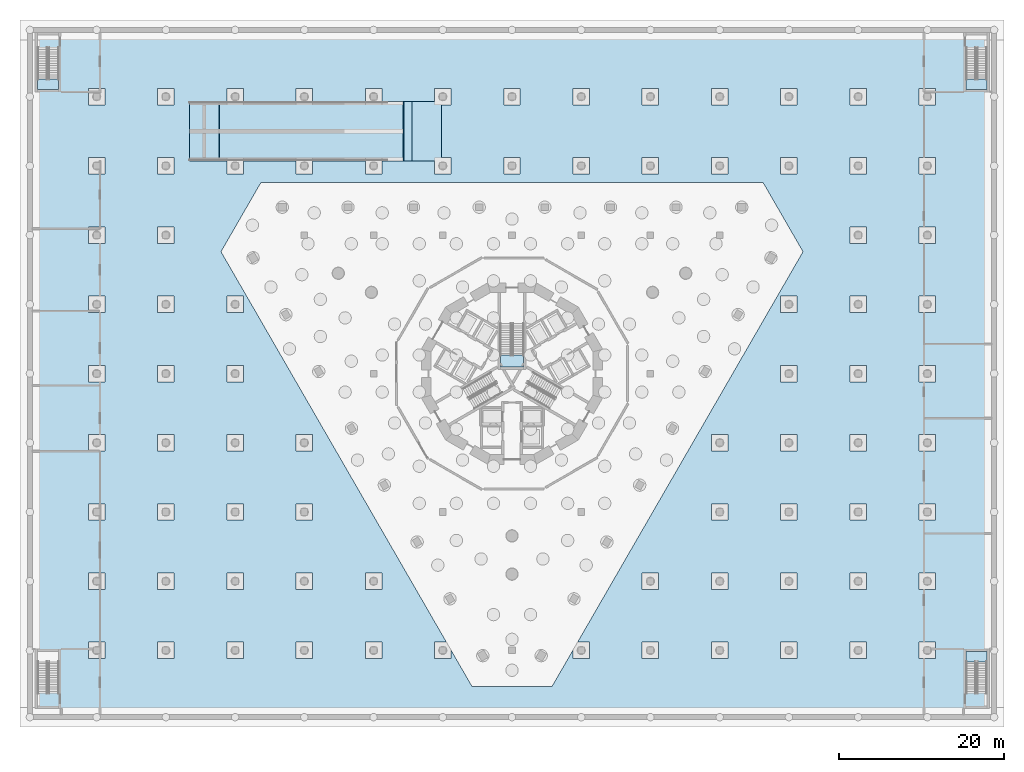
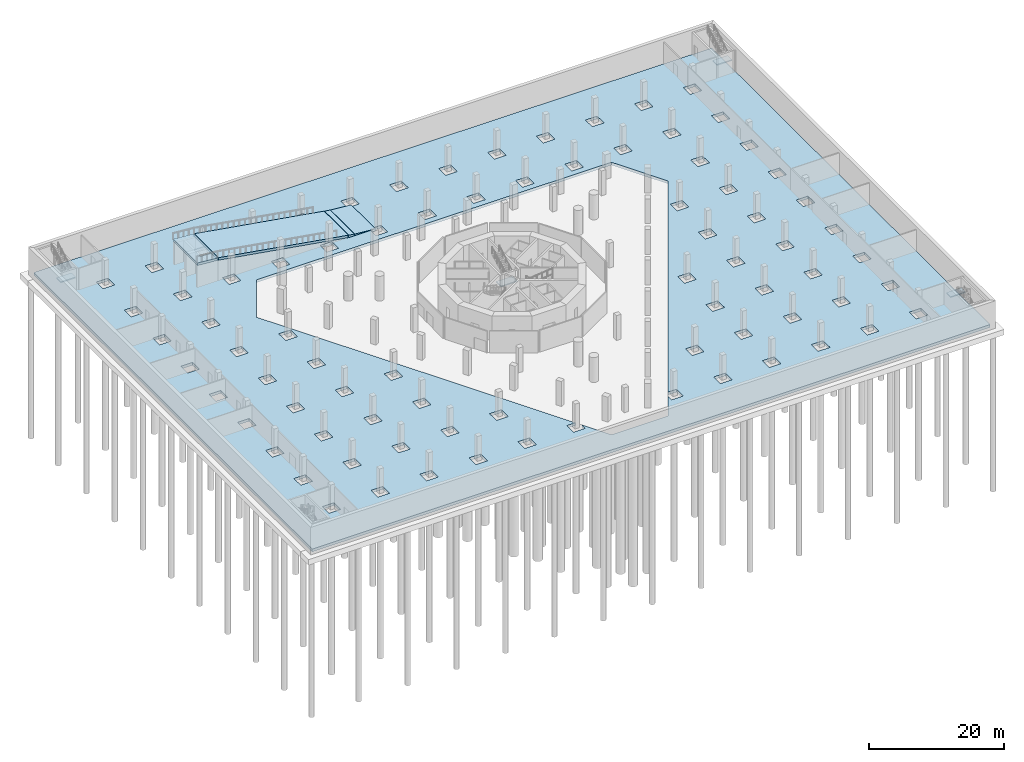
# One storey, part 4 of 23: 9 slabs, 4 elements without a shape of their own.
"""IFC4 building model written with IfcOpenShell, lengths in metres."""

from ifc_helpers import new_model, si_unit, direction, frame, origin, place, context, subcontext, project, spatial, polyline, outline, extrude, material, layer, layer_set, type_object, element, aggregate, save


model = new_model("IFC4")

# Units and contexts
model_context = context("Model", 3, precision=1e-05, world=origin(), true_north=direction((0.0, 1.0)))
body_context = subcontext(model_context, "Body", "Model", "MODEL_VIEW")
ifc_project = project(units=[si_unit("LENGTHUNIT", "METRE"), si_unit("AREAUNIT", "SQUARE_METRE"), si_unit("VOLUMEUNIT", "CUBIC_METRE"), si_unit("PLANEANGLEUNIT", "RADIAN"), si_unit("MASSUNIT", "GRAM", prefix="KILO")], contexts=[model_context])

# Site, building, storey
site_placement = place(None, origin())
site = spatial("IfcSite", under=ifc_project, at=site_placement, CompositionType="ELEMENT")
building_placement = place(site_placement, origin())
building = spatial("IfcBuilding", under=site, at=building_placement, Name="Trine Commons Tower", CompositionType="ELEMENT")
storey_placement = place(building_placement, frame((0.0, 0.0, -9.0)))
storey = spatial("IfcBuildingStorey", under=building, at=storey_placement, Name="B2", CompositionType="ELEMENT", Elevation=-9.0)

# Slabs
ifc_material_1 = material(Name="Concrete C40/50", Category="concrete")
ifc_layer_1 = layer(ifc_material_1, 0.5)
ifc_layer_set_1 = layer_set([ifc_layer_1], Name="Concrete C40/50")
slab_type_1 = type_object("IfcSlabType", Name="Basement floor slab 500 mm, C40/50", PredefinedType="BASESLAB", material=ifc_layer_set_1)
slab_1_placement = place(storey_placement, frame((0.0, 0.0, -0.5)))
element("IfcSlab", 1, at=slab_1_placement, inside=storey, type_object=slab_type_1, Name="Basement floor slab", PredefinedType="BASESLAB", context=body_context, shape_type="SweptSolid", body=[
    extrude(outline(polyline([(21.800048828125, 21.10009765625), (21.800048828125, 103.89990234375), (138.199951171875, 103.89990234375), (138.199951171875, 21.10009765625), (21.800048828125, 21.10009765625)]), holes=[polyline([(47.39990234375, 27.89990234375), (47.39990234375, 29.89990234375), (45.39990234375, 29.89990234375), (45.39990234375, 27.89990234375), (47.39990234375, 27.89990234375)]), polyline([(30.60009765625, 27.89990234375), (30.60009765625, 29.89990234375), (28.60009765625, 29.89990234375), (28.60009765625, 27.89990234375), (30.60009765625, 27.89990234375)]), polyline([(39.0, 27.89990234375), (39.0, 29.89990234375), (37.0, 29.89990234375), (37.0, 27.89990234375), (39.0, 27.89990234375)]), polyline([(45.39990234375, 36.300048828125), (47.39990234375, 36.300048828125), (47.39990234375, 38.300048828125), (45.39990234375, 38.300048828125), (45.39990234375, 36.300048828125)]), polyline([(28.60009765625, 36.300048828125), (30.60009765625, 36.300048828125), (30.60009765625, 38.300048828125), (28.60009765625, 38.300048828125), (28.60009765625, 36.300048828125)]), polyline([(39.0, 36.300048828125), (39.0, 38.300048828125), (37.0, 38.300048828125), (37.0, 36.300048828125), (39.0, 36.300048828125)]), polyline([(30.60009765625, 44.699951171875), (30.60009765625, 46.699951171875), (28.60009765625, 46.699951171875), (28.60009765625, 44.699951171875), (30.60009765625, 44.699951171875)]), polyline([(45.39990234375, 46.699951171875), (45.39990234375, 44.699951171875), (47.39990234375, 44.699951171875), (47.39990234375, 46.699951171875), (45.39990234375, 46.699951171875)]), polyline([(37.0, 46.699951171875), (37.0, 44.699951171875), (39.0, 44.699951171875), (39.0, 46.699951171875), (37.0, 46.699951171875)]), polyline([(39.0, 53.10009765625), (39.0, 55.10009765625), (37.0, 55.10009765625), (37.0, 53.10009765625), (39.0, 53.10009765625)]), polyline([(47.39990234375, 53.10009765625), (47.39990234375, 55.10009765625), (45.39990234375, 55.10009765625), (45.39990234375, 53.10009765625), (47.39990234375, 53.10009765625)]), polyline([(30.60009765625, 53.10009765625), (30.60009765625, 55.10009765625), (28.60009765625, 55.10009765625), (28.60009765625, 53.10009765625), (30.60009765625, 53.10009765625)]), polyline([(37.0, 63.5), (37.0, 61.5), (39.0, 61.5), (39.0, 63.5), (37.0, 63.5)]), polyline([(45.39990234375, 63.5), (45.39990234375, 61.5), (47.39990234375, 61.5), (47.39990234375, 63.5), (45.39990234375, 63.5)]), polyline([(30.60009765625, 61.5), (30.60009765625, 63.5), (28.60009765625, 63.5), (28.60009765625, 61.5), (30.60009765625, 61.5)]), polyline([(39.0, 69.89990234375), (39.0, 71.89990234375), (37.0, 71.89990234375), (37.0, 69.89990234375), (39.0, 69.89990234375)]), polyline([(28.60009765625, 69.89990234375), (30.60009765625, 69.89990234375), (30.60009765625, 71.89990234375), (28.60009765625, 71.89990234375), (28.60009765625, 69.89990234375)]), polyline([(45.39990234375, 69.89990234375), (47.39990234375, 69.89990234375), (47.39990234375, 71.89990234375), (45.39990234375, 71.89990234375), (45.39990234375, 69.89990234375)]), polyline([(37.0, 80.300048828125), (37.0, 78.300048828125), (39.0, 78.300048828125), (39.0, 80.300048828125), (37.0, 80.300048828125)]), polyline([(30.60009765625, 78.300048828125), (30.60009765625, 80.300048828125), (28.60009765625, 80.300048828125), (28.60009765625, 78.300048828125), (30.60009765625, 78.300048828125)]), polyline([(39.0, 86.699951171875), (39.0, 88.699951171875), (37.0, 88.699951171875), (37.0, 86.699951171875), (39.0, 86.699951171875)]), polyline([(28.60009765625, 86.699951171875), (30.60009765625, 86.699951171875), (30.60009765625, 88.699951171875), (28.60009765625, 88.699951171875), (28.60009765625, 86.699951171875)]), polyline([(45.39990234375, 86.699951171875), (47.39990234375, 86.699951171875), (47.39990234375, 88.699951171875), (45.39990234375, 88.699951171875), (45.39990234375, 86.699951171875)]), polyline([(28.60009765625, 95.10009765625), (30.60009765625, 95.10009765625), (30.60009765625, 97.10009765625), (28.60009765625, 97.10009765625), (28.60009765625, 95.10009765625)]), polyline([(39.0, 95.10009765625), (39.0, 97.10009765625), (37.0, 97.10009765625), (37.0, 95.10009765625), (39.0, 95.10009765625)]), polyline([(47.39990234375, 95.10009765625), (47.39990234375, 97.10009765625), (45.39990234375, 97.10009765625), (45.39990234375, 95.10009765625), (47.39990234375, 95.10009765625)]), polyline([(64.199951171875, 27.89990234375), (64.199951171875, 29.89990234375), (62.199951171875, 29.89990234375), (62.199951171875, 27.89990234375), (64.199951171875, 27.89990234375)]), polyline([(104.199951171875, 27.89990234375), (106.199951171875, 27.89990234375), (106.199951171875, 29.89990234375), (104.199951171875, 29.89990234375), (104.199951171875, 27.89990234375)]), polyline([(95.800048828125, 29.89990234375), (95.800048828125, 27.89990234375), (97.800048828125, 27.89990234375), (97.800048828125, 29.89990234375), (95.800048828125, 29.89990234375)]), polyline([(53.800048828125, 27.89990234375), (55.800048828125, 27.89990234375), (55.800048828125, 29.89990234375), (53.800048828125, 29.89990234375), (53.800048828125, 27.89990234375)]), polyline([(53.800048828125, 36.300048828125), (55.800048828125, 36.300048828125), (55.800048828125, 38.300048828125), (53.800048828125, 38.300048828125), (53.800048828125, 36.300048828125)]), polyline([(62.199951171875, 36.300048828125), (64.199951171875, 36.300048828125), (64.199951171875, 38.300048828125), (62.199951171875, 38.300048828125), (62.199951171875, 36.300048828125)]), polyline([(104.199951171875, 36.300048828125), (106.199951171875, 36.300048828125), (106.199951171875, 38.300048828125), (104.199951171875, 38.300048828125), (104.199951171875, 36.300048828125)]), polyline([(95.800048828125, 38.300048828125), (95.800048828125, 36.300048828125), (97.800048828125, 36.300048828125), (97.800048828125, 38.300048828125), (95.800048828125, 38.300048828125)]), polyline([(55.800048828125, 44.699951171875), (55.800048828125, 46.699951171875), (53.800048828125, 46.699951171875), (53.800048828125, 44.699951171875), (55.800048828125, 44.699951171875)]), polyline([(106.199951171875, 44.699951171875), (106.199951171875, 46.699951171875), (104.199951171875, 46.699951171875), (104.199951171875, 44.699951171875), (106.199951171875, 44.699951171875)]), polyline([(53.800048828125, 53.10009765625), (55.800048828125, 53.10009765625), (55.800048828125, 55.10009765625), (53.800048828125, 55.10009765625), (53.800048828125, 53.10009765625)]), polyline([(104.199951171875, 55.10009765625), (104.199951171875, 53.10009765625), (106.199951171875, 53.10009765625), (106.199951171875, 55.10009765625), (104.199951171875, 55.10009765625)]), polyline([(87.94970703125, 29.89990234375), (115.30712890625, 77.28466796875), (110.45751953125, 85.6845703125), (49.54248046875, 85.6845703125), (44.69287109375, 77.28466796875), (72.05029296875, 29.89990234375), (70.60009765625, 29.89990234375), (70.60009765625, 27.89990234375), (72.60009765625, 27.89990234375), (72.60009765625, 28.89013671875), (72.62890625, 28.897705078125), (75.150390625, 24.53076171875), (84.849609375, 24.53076171875), (87.37109375, 28.897705078125), (87.39990234375, 28.89013671875), (87.39990234375, 27.89990234375), (89.39990234375, 27.89990234375), (89.39990234375, 29.89990234375), (87.94970703125, 29.89990234375)]), polyline([(81.0, 86.699951171875), (81.0, 88.699951171875), (79.0, 88.699951171875), (79.0, 86.699951171875), (81.0, 86.699951171875)]), polyline([(89.39990234375, 86.699951171875), (89.39990234375, 88.699951171875), (87.39990234375, 88.699951171875), (87.39990234375, 86.699951171875), (89.39990234375, 86.699951171875)]), polyline([(97.800048828125, 86.699951171875), (97.800048828125, 88.699951171875), (95.800048828125, 88.699951171875), (95.800048828125, 86.699951171875), (97.800048828125, 86.699951171875)]), polyline([(104.199951171875, 86.699951171875), (106.199951171875, 86.699951171875), (106.199951171875, 88.699951171875), (104.199951171875, 88.699951171875), (104.199951171875, 86.699951171875)]), polyline([(62.199951171875, 86.699951171875), (64.199951171875, 86.699951171875), (64.199951171875, 88.699951171875), (62.199951171875, 88.699951171875), (62.199951171875, 86.699951171875)]), polyline([(53.800048828125, 86.699951171875), (55.800048828125, 86.699951171875), (55.800048828125, 88.699951171875), (53.800048828125, 88.699951171875), (53.800048828125, 86.699951171875)]), polyline([(72.60009765625, 95.10009765625), (72.60009765625, 97.10009765625), (70.60009765625, 97.10009765625), (70.60009765625, 95.5), (66.79296875, 95.5), (66.79296875, 88.300048828125), (70.60009765625, 88.300048828125), (70.60009765625, 86.699951171875), (72.60009765625, 86.699951171875), (72.60009765625, 88.699951171875), (71.449951171875, 88.699951171875), (71.449951171875, 95.10009765625), (72.60009765625, 95.10009765625)]), polyline([(87.39990234375, 95.10009765625), (89.39990234375, 95.10009765625), (89.39990234375, 97.10009765625), (87.39990234375, 97.10009765625), (87.39990234375, 95.10009765625)]), polyline([(79.0, 95.10009765625), (81.0, 95.10009765625), (81.0, 97.10009765625), (79.0, 97.10009765625), (79.0, 95.10009765625)]), polyline([(95.800048828125, 95.10009765625), (97.800048828125, 95.10009765625), (97.800048828125, 97.10009765625), (95.800048828125, 97.10009765625), (95.800048828125, 95.10009765625)]), polyline([(62.199951171875, 95.10009765625), (64.199951171875, 95.10009765625), (64.199951171875, 97.10009765625), (62.199951171875, 97.10009765625), (62.199951171875, 95.10009765625)]), polyline([(53.800048828125, 95.10009765625), (55.800048828125, 95.10009765625), (55.800048828125, 97.10009765625), (53.800048828125, 97.10009765625), (53.800048828125, 95.10009765625)]), polyline([(104.199951171875, 97.10009765625), (104.199951171875, 95.10009765625), (106.199951171875, 95.10009765625), (106.199951171875, 97.10009765625), (104.199951171875, 97.10009765625)]), polyline([(112.60009765625, 27.89990234375), (114.60009765625, 27.89990234375), (114.60009765625, 29.89990234375), (112.60009765625, 29.89990234375), (112.60009765625, 27.89990234375)]), polyline([(131.39990234375, 27.89990234375), (131.39990234375, 29.89990234375), (129.39990234375, 29.89990234375), (129.39990234375, 27.89990234375), (131.39990234375, 27.89990234375)]), polyline([(123.0, 27.89990234375), (123.0, 29.89990234375), (121.0, 29.89990234375), (121.0, 27.89990234375), (123.0, 27.89990234375)]), polyline([(129.39990234375, 36.300048828125), (131.39990234375, 36.300048828125), (131.39990234375, 38.300048828125), (129.39990234375, 38.300048828125), (129.39990234375, 36.300048828125)]), polyline([(121.0, 36.300048828125), (123.0, 36.300048828125), (123.0, 38.300048828125), (121.0, 38.300048828125), (121.0, 36.300048828125)]), polyline([(112.60009765625, 38.300048828125), (112.60009765625, 36.300048828125), (114.60009765625, 36.300048828125), (114.60009765625, 38.300048828125), (112.60009765625, 38.300048828125)]), polyline([(131.39990234375, 44.699951171875), (131.39990234375, 46.699951171875), (129.39990234375, 46.699951171875), (129.39990234375, 44.699951171875), (131.39990234375, 44.699951171875)]), polyline([(114.60009765625, 44.699951171875), (114.60009765625, 46.699951171875), (112.60009765625, 46.699951171875), (112.60009765625, 44.699951171875), (114.60009765625, 44.699951171875)]), polyline([(121.0, 44.699951171875), (123.0, 44.699951171875), (123.0, 46.699951171875), (121.0, 46.699951171875), (121.0, 44.699951171875)]), polyline([(121.0, 53.10009765625), (123.0, 53.10009765625), (123.0, 55.10009765625), (121.0, 55.10009765625), (121.0, 53.10009765625)]), polyline([(129.39990234375, 55.10009765625), (129.39990234375, 53.10009765625), (131.39990234375, 53.10009765625), (131.39990234375, 55.10009765625), (129.39990234375, 55.10009765625)]), polyline([(114.60009765625, 53.10009765625), (114.60009765625, 55.10009765625), (112.60009765625, 55.10009765625), (112.60009765625, 53.10009765625), (114.60009765625, 53.10009765625)]), polyline([(112.60009765625, 61.5), (114.60009765625, 61.5), (114.60009765625, 63.5), (112.60009765625, 63.5), (112.60009765625, 61.5)]), polyline([(123.0, 61.5), (123.0, 63.5), (121.0, 63.5), (121.0, 61.5), (123.0, 61.5)]), polyline([(129.39990234375, 63.5), (129.39990234375, 61.5), (131.39990234375, 61.5), (131.39990234375, 63.5), (129.39990234375, 63.5)]), polyline([(129.39990234375, 69.89990234375), (131.39990234375, 69.89990234375), (131.39990234375, 71.89990234375), (129.39990234375, 71.89990234375), (129.39990234375, 69.89990234375)]), polyline([(123.0, 69.89990234375), (123.0, 71.89990234375), (121.0, 71.89990234375), (121.0, 69.89990234375), (123.0, 69.89990234375)]), polyline([(114.60009765625, 69.89990234375), (114.60009765625, 71.89990234375), (112.60009765625, 71.89990234375), (112.60009765625, 69.89990234375), (114.60009765625, 69.89990234375)]), polyline([(121.0, 78.300048828125), (123.0, 78.300048828125), (123.0, 80.300048828125), (121.0, 80.300048828125), (121.0, 78.300048828125)]), polyline([(129.39990234375, 80.300048828125), (129.39990234375, 78.300048828125), (131.39990234375, 78.300048828125), (131.39990234375, 80.300048828125), (129.39990234375, 80.300048828125)]), polyline([(129.39990234375, 88.699951171875), (129.39990234375, 86.699951171875), (131.39990234375, 86.699951171875), (131.39990234375, 88.699951171875), (129.39990234375, 88.699951171875)]), polyline([(121.0, 86.699951171875), (123.0, 86.699951171875), (123.0, 88.699951171875), (121.0, 88.699951171875), (121.0, 86.699951171875)]), polyline([(114.60009765625, 86.699951171875), (114.60009765625, 88.699951171875), (112.60009765625, 88.699951171875), (112.60009765625, 86.699951171875), (114.60009765625, 86.699951171875)]), polyline([(129.39990234375, 95.10009765625), (131.39990234375, 95.10009765625), (131.39990234375, 97.10009765625), (129.39990234375, 97.10009765625), (129.39990234375, 95.10009765625)]), polyline([(121.0, 95.10009765625), (123.0, 95.10009765625), (123.0, 97.10009765625), (121.0, 97.10009765625), (121.0, 95.10009765625)]), polyline([(112.60009765625, 97.10009765625), (112.60009765625, 95.10009765625), (114.60009765625, 95.10009765625), (114.60009765625, 97.10009765625), (112.60009765625, 97.10009765625)])]), origin(), (0.0, 0.0, 1.0), 0.5),
])
ifc_layer_2 = layer(ifc_material_1, 0.449951171875)
ifc_layer_set_2 = layer_set([ifc_layer_2], Name="Concrete C40/50")
slab_type_2 = type_object("IfcSlabType", Name="Car ramp slab 450 mm, C40/50", PredefinedType="USERDEFINED", material=ifc_layer_set_2)
slab_2_placement = place(storey_placement, frame((40.887451171875, 88.300048828125, 4.496826171875), z_axis=(0.083045479854, 0.0, 0.996545758245), x_axis=(0.0, 1.0, 0.0)))
element("IfcSlab", 2, at=slab_2_placement, inside=storey, type_object=slab_type_2, Name="Car ramp R2 slab 1", ObjectType="RAMP", PredefinedType="USERDEFINED", context=body_context, shape_type="SweptSolid", body=[
    extrude(outline(polyline([(0.0, 0.0), (7.199951171875, 0.0), (7.199951171875, -3.5748483905789628), (0.0, -3.5748483905789628), (0.0, 0.0)])), origin(), (0.0, 0.0, -1.0), 0.449951171875),
])
slab_3_placement = place(storey_placement, frame((44.52392578125, 88.300048828125, 4.187744140625), z_axis=(0.164395480039, 0.0, 0.98639450837), x_axis=(0.0, 1.0, 0.0)))
element("IfcSlab", 3, at=slab_3_placement, inside=storey, type_object=slab_type_2, Name="Car ramp R2 slab 2", ObjectType="RAMP", PredefinedType="USERDEFINED", context=body_context, shape_type="SweptSolid", body=[
    extrude(outline(polyline([(0.0, 0.0), (7.199951171875, 0.0), (7.199951171875, -22.576203313971128), (0.0, -22.576203313971128), (0.0, 0.0)])), origin(), (0.0, 0.0, -1.0), 0.449951171875),
])
slab_4_placement = place(storey_placement, frame((66.866943359375, 88.300048828125, 0.4638671875), z_axis=(0.164359266078, 0.0, 0.986400543215), x_axis=(0.0, 1.0, 0.0)))
element("IfcSlab", 4, at=slab_4_placement, inside=storey, type_object=slab_type_2, Name="Car ramp R2 slab 3", ObjectType="RAMP", PredefinedType="USERDEFINED", context=body_context, shape_type="SweptSolid", body=[
    extrude(outline(polyline([(0.0, 0.0), (7.199951171875, 0.0), (7.199951171875, -0.9967089978183664), (0.0, -0.9967089978183664), (0.0, 0.0)])), origin(), (0.0, 0.0, -1.0), 0.449951171875),
])
slab_5_placement = place(storey_placement, frame((67.887451171875, 88.300048828125, 0.296875), z_axis=(0.083045479854, 0.0, 0.996545758245), x_axis=(0.0, 1.0, 0.0)))
element("IfcSlab", 5, at=slab_5_placement, inside=storey, type_object=slab_type_2, Name="Car ramp R2 slab 4", ObjectType="RAMP", PredefinedType="USERDEFINED", context=body_context, shape_type="SweptSolid", body=[
    extrude(outline(polyline([(0.0, 0.0), (7.199951171875, 0.0), (7.199951171875, -3.5748483905789628), (0.0, -3.5748483905789628), (0.0, 0.0)])), origin(), (0.0, 0.0, -1.0), 0.449951171875),
])

# Stair, slab
stair_type_1 = type_object("IfcStairType", Name="Exit stair, dog-leg 1200 mm, C40/50", PredefinedType="HALF_TURN_STAIR", material=ifc_material_1)
stair_1_placement = place(storey_placement, origin())
stair_1 = element("IfcStair", 6, at=stair_1_placement, inside=storey, type_object=stair_type_1, Name="B2 Exit stair STB2", PredefinedType="HALF_TURN_STAIR")
ifc_layer_3 = layer(ifc_material_1, 0.199951171875)
ifc_layer_set_3 = layer_set([ifc_layer_3], Name="Concrete C40/50")
slab_type_3 = type_object("IfcSlabType", Name="Stair landing 200 mm, C40/50", PredefinedType="LANDING", material=ifc_layer_set_3)
slab_6_placement = place(storey_placement, frame((0.0, 0.0, 2.050048828125)))
slab_6 = element("IfcSlab", 7, at=slab_6_placement, type_object=slab_type_3, Name="STB2 landing 1", PredefinedType="LANDING", context=body_context, shape_type="SweptSolid", body=[
    extrude(outline(polyline([(137.64990234375, 27.489990234375), (137.64990234375, 28.77001953125), (135.10009765625, 28.77001953125), (135.10009765625, 27.489990234375), (137.64990234375, 27.489990234375)])), origin(), (0.0, 0.0, 1.0), 0.199951171875),
])
aggregate(stair_1, [slab_6])

stair_2_placement = place(storey_placement, origin())
stair_2 = element("IfcStair", 8, at=stair_2_placement, inside=storey, type_object=stair_type_1, Name="B2 Exit stair STB3", PredefinedType="HALF_TURN_STAIR")
slab_7_placement = place(storey_placement, frame((0.0, 0.0, 2.050048828125)))
slab_7 = element("IfcSlab", 9, at=slab_7_placement, type_object=slab_type_3, Name="STB3 landing 1", PredefinedType="LANDING", context=body_context, shape_type="SweptSolid", body=[
    extrude(outline(polyline([(22.449951171875, 98.260009765625), (22.449951171875, 96.97998046875), (25.0, 96.97998046875), (25.0, 98.260009765625), (22.449951171875, 98.260009765625)])), origin(), (0.0, 0.0, 1.0), 0.199951171875),
])
aggregate(stair_2, [slab_7])

stair_3_placement = place(storey_placement, origin())
stair_3 = element("IfcStair", 10, at=stair_3_placement, inside=storey, type_object=stair_type_1, Name="B2 Exit stair STB4", PredefinedType="HALF_TURN_STAIR")
slab_8_placement = place(storey_placement, frame((0.0, 0.0, 2.050048828125)))
slab_8 = element("IfcSlab", 11, at=slab_8_placement, type_object=slab_type_3, Name="STB4 landing 1", PredefinedType="LANDING", context=body_context, shape_type="SweptSolid", body=[
    extrude(outline(polyline([(135.10009765625, 98.260009765625), (135.10009765625, 96.97998046875), (137.64990234375, 96.97998046875), (137.64990234375, 98.260009765625), (135.10009765625, 98.260009765625)])), origin(), (0.0, 0.0, 1.0), 0.199951171875),
])
aggregate(stair_3, [slab_8])

ifc_material_2 = material(Name="Concrete C50/60", Category="concrete")
stair_type_2 = type_object("IfcStairType", Name="Exit stair, dog-leg, 30 risers of 150 mm", PredefinedType="HALF_TURN_STAIR", material=ifc_material_2)
stair_4_placement = place(storey_placement, origin())
stair_4 = element("IfcStair", 12, at=stair_4_placement, inside=storey, type_object=stair_type_2, Name="B2 Exit stair ST1A", PredefinedType="HALF_TURN_STAIR")
ifc_layer_4 = layer(ifc_material_2, 0.199951171875)
ifc_layer_set_4 = layer_set([ifc_layer_4], Name="Concrete C50/60")
slab_type_4 = type_object("IfcSlabType", Name="Stair landing slab 200 mm, C50/60", PredefinedType="LANDING", material=ifc_layer_set_4)
slab_9_placement = place(storey_placement, frame((0.0, 0.0, 2.050048828125)))
slab_9 = element("IfcSlab", 13, at=slab_9_placement, type_object=slab_type_4, Name="ST1A landing 1", PredefinedType="LANDING", context=body_context, shape_type="SweptSolid", body=[
    extrude(outline(polyline([(78.574951171875, 64.730712890625), (78.574951171875, 63.300537109375), (81.425048828125, 63.300537109375), (81.425048828125, 64.730712890625), (78.574951171875, 64.730712890625)])), origin(), (0.0, 0.0, 1.0), 0.199951171875),
])
aggregate(stair_4, [slab_9])

save(model, "model.ifc")
